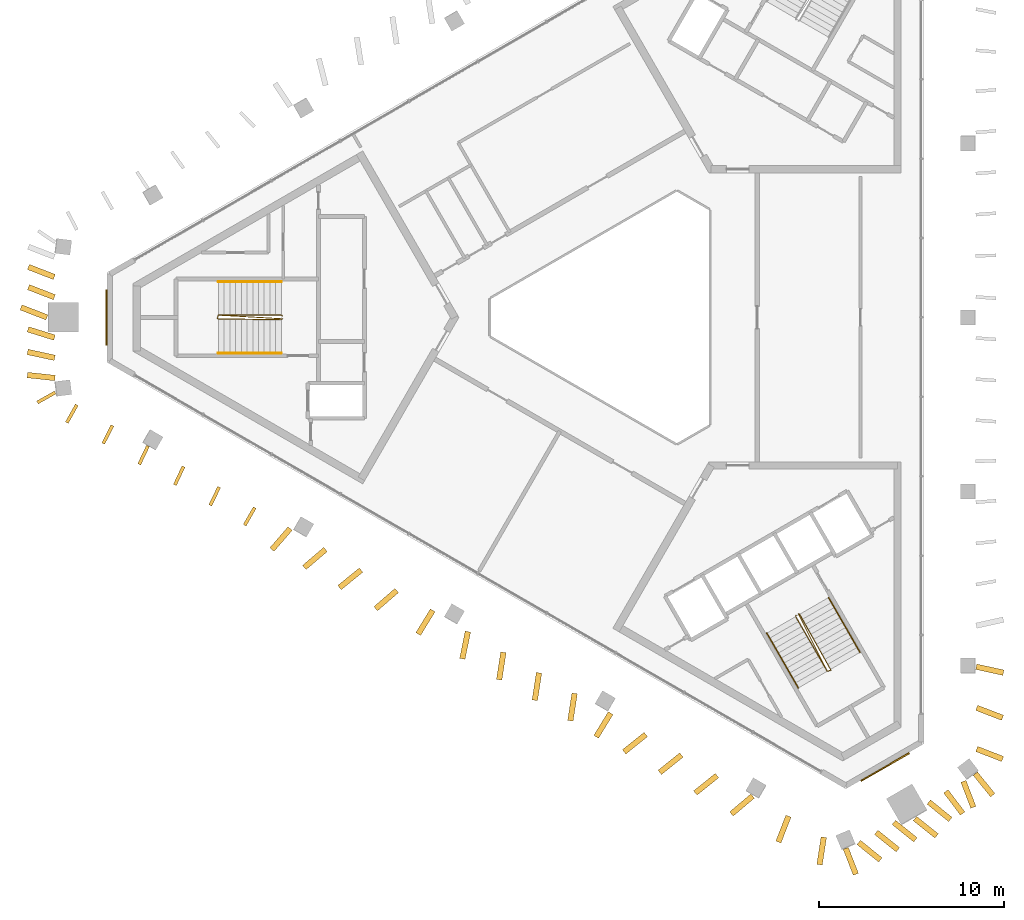
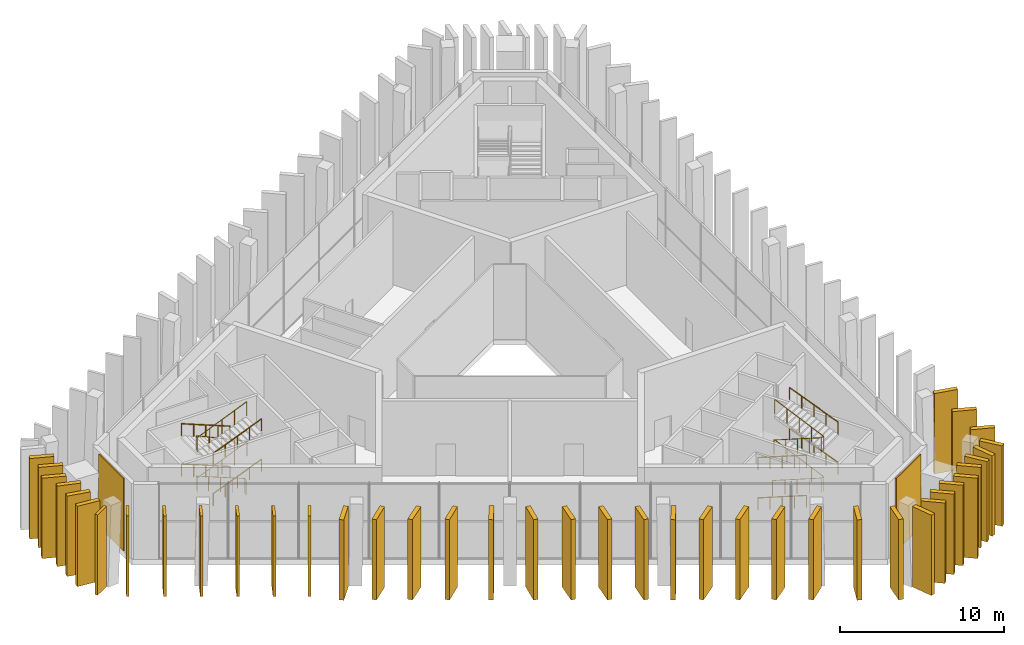
# One storey, part 11 of 12: 41 shading devices, 10 railings, 2 coverings.
"""IFC4 building model written with IfcOpenShell, lengths in metres."""

from ifc_helpers import new_model, si_unit, direction, frame, frame_2d, origin, origin_2d, place, context, subcontext, project, spatial, rectangle, circle, extrude, material, layer, layer_set, type_object, element, save


model = new_model("IFC4")

# Units and contexts
model_context = context("Model", 3, precision=1e-05, world=origin(), true_north=direction((0.0, 1.0)))
body_context = subcontext(model_context, "Body", "Model", "MODEL_VIEW")
ifc_project = project(units=[si_unit("LENGTHUNIT", "METRE"), si_unit("AREAUNIT", "SQUARE_METRE"), si_unit("VOLUMEUNIT", "CUBIC_METRE"), si_unit("PLANEANGLEUNIT", "RADIAN"), si_unit("MASSUNIT", "GRAM", prefix="KILO")], contexts=[model_context])

# Site, building, storey
site_placement = place(None, origin())
site = spatial("IfcSite", under=ifc_project, at=site_placement, CompositionType="ELEMENT")
building_placement = place(site_placement, origin())
building = spatial("IfcBuilding", under=site, at=building_placement, Name="Jabali Bay Hotel Tower and Convention Centre", CompositionType="ELEMENT")
storey_placement = place(building_placement, frame((0.0, 0.0, 304.800048828125)))
storey = spatial("IfcBuildingStorey", under=building, at=storey_placement, Name="L75", CompositionType="ELEMENT", Elevation=304.800048828125)

# Shading devices
ifc_material_1 = material(Name="Precast concrete C60", Category="concrete")
ifc_layer_1 = layer(ifc_material_1, 0.179931640625)
ifc_layer_set_1 = layer_set([ifc_layer_1], Name="Precast concrete C60")
shading_device_type_1 = type_object("IfcShadingDeviceType", Name="Precast fin 5980 x 1100", PredefinedType="USERDEFINED", material=ifc_layer_set_1)
shading_device_1_placement = place(storey_placement, frame((45.36962890625, 75.279541015625, 0.010009765625), z_axis=(0.0, 0.0, 1.0), x_axis=(-0.488447935447, -0.872593040516, 0.0)))
element("IfcShadingDevice", 1, at=shading_device_1_placement, inside=storey, type_object=shading_device_type_1, Name="Fin L75 058", ObjectType="FIN", PredefinedType="USERDEFINED", context=body_context, shape_type="SweptSolid", body=[
    extrude(rectangle(XDim=1.10009765625, YDim=0.179931640625, at=frame_2d((0.550048828125, 0.0))), origin(), (0.0, 0.0, 1.0), 5.97998046875),
])
for number, where, z_axis, x_axis, name in (
    (2, (47.28955078125, 74.16650390625, 0.010009765625), (0.0, 0.0, 1.0), (-0.451027272115, -0.892510167902, 0.0), "Fin L75 059"),
    (3, (49.21044921875, 73.055419921875, 0.010009765625), (0.0, 0.0, 1.0), (-0.431965973812, -0.901889903186, 0.0), "Fin L75 060"),
    (4, (51.1318359375, 71.945556640625, 0.010009765625), (0.0, 0.0, 1.0), (-0.427036552319, -0.904234362863, 0.0), "Fin L75 061"),
    (5, (53.054443359375, 70.8369140625, 0.010009765625), (0.0, 0.0, 1.0), (-0.439918594365, -0.898037655297, 0.0), "Fin L75 062"),
):
    element("IfcShadingDevice", number, at=place(storey_placement, frame(where, z_axis=z_axis, x_axis=x_axis)), inside=storey, type_object=shading_device_type_1, Name=name, ObjectType="FIN", PredefinedType="USERDEFINED", context=body_context, shape_type="SweptSolid", body=[
        extrude(rectangle(XDim=1.099853515625, YDim=0.179931640625, at=frame_2d((0.5498046875, 0.0))), origin(), (0.0, 0.0, 1.0), 5.97998046875),
    ])
shading_device_2_placement = place(storey_placement, frame((54.97900390625, 69.732666015625, 0.010009765625), z_axis=(0.0, 0.0, 1.0), x_axis=(-0.497357387305, -0.867545750547, 0.0)))
element("IfcShadingDevice", 6, at=shading_device_2_placement, inside=storey, type_object=shading_device_type_1, Name="Fin L75 063", ObjectType="FIN", PredefinedType="USERDEFINED", context=body_context, shape_type="SweptSolid", body=[
    extrude(rectangle(XDim=1.10009765625, YDim=0.179931640625, at=frame_2d((0.550048828125, 0.0))), origin(), (0.0, 0.0, 1.0), 5.97998046875),
])
shading_device_3_placement = place(storey_placement, frame((44.201904296875, 75.9462890625, 0.010009765625), z_axis=(0.0, 0.0, 1.0), x_axis=(-0.871178101027, -0.490967123432, 0.0)))
element("IfcShadingDevice", 7, at=shading_device_3_placement, inside=storey, type_object=shading_device_type_1, Name="Fin L75 091", ObjectType="FIN", PredefinedType="USERDEFINED", context=body_context, shape_type="SweptSolid", body=[
    extrude(rectangle(XDim=1.099853515625, YDim=0.179931640625, at=frame_2d((0.5498046875, 0.0))), origin(), (0.0, 0.0, 1.0), 5.97998046875),
])
ifc_layer_2 = layer(ifc_material_1, 0.300048828125)
ifc_layer_set_2 = layer_set([ifc_layer_2], Name="Precast concrete C60")
shading_device_type_2 = type_object("IfcShadingDeviceType", Name="Precast fin 5980 x 1500", PredefinedType="USERDEFINED", material=ifc_layer_set_2)
for number, where, z_axis, x_axis, name in (
    (8, (93.956298828125, 56.69970703125, 0.010009765625), (0.0, 0.0, 1.0), (0.932550419997, -0.361039768119, 0.0), "Fin L75 000"),
    (9, (93.955810546875, 58.918701171875, 0.010009765625), (0.0, 0.0, 1.0), (0.933864848651, -0.357626123843, 0.0), "Fin L75 001"),
):
    element("IfcShadingDevice", number, at=place(storey_placement, frame(where, z_axis=z_axis, x_axis=x_axis)), inside=storey, type_object=shading_device_type_2, Name=name, ObjectType="FIN", PredefinedType="USERDEFINED", context=body_context, shape_type="SweptSolid", body=[
        extrude(rectangle(XDim=1.499755859375, YDim=0.300048828125, at=frame_2d((0.75, 0.0))), origin(), (0.0, 0.0, 1.0), 5.97998046875),
    ])
for number, where, z_axis, x_axis, name in (
    (10, (93.933837890625, 61.137939453125, 0.010009765625), (0.0, 0.0, 1.0), (0.977074892163, -0.212895878552, 0.0), "Fin L75 002"),
    (11, (44.1552734375, 82.181884765625, 0.010009765625), (0.0, 0.0, 1.0), (-0.932254906917, 0.361802140027, 0.0), "Fin L75 052"),
    (12, (44.1552734375, 81.091064453125, 0.010009765625), (0.0, 0.0, 1.0), (-0.932254906917, 0.361802140027, 0.0), "Fin L75 053"),
):
    element("IfcShadingDevice", number, at=place(storey_placement, frame(where, z_axis=z_axis, x_axis=x_axis)), inside=storey, type_object=shading_device_type_2, Name=name, ObjectType="FIN", PredefinedType="USERDEFINED", context=body_context, shape_type="SweptSolid", body=[
        extrude(rectangle(XDim=1.5, YDim=0.300048828125, at=frame_2d((0.75, 0.0))), origin(), (0.0, 0.0, 1.0), 5.97998046875),
    ])
shading_device_4_placement = place(storey_placement, frame((43.755859375, 80.0, 0.010009765625), z_axis=(0.0, 0.0, 1.0), x_axis=(-0.932702355122, 0.360647080606, 0.0)))
element("IfcShadingDevice", 13, at=shading_device_4_placement, inside=storey, type_object=shading_device_type_2, Name="Fin L75 054", ObjectType="FIN", PredefinedType="USERDEFINED", context=body_context, shape_type="SweptSolid", body=[
    extrude(rectangle(XDim=1.500244140625, YDim=0.300048828125, at=frame_2d((0.75, 0.0))), origin(), (0.0, 0.0, 1.0), 5.97998046875),
])
for number, where, z_axis, x_axis, name in (
    (14, (44.164794921875, 78.908935546875, 0.010009765625), (0.0, 0.0, 1.0), (-0.954563924611, 0.298006231196, 0.0), "Fin L75 055"),
    (15, (44.177734375, 77.818115234375, 0.010009765625), (0.0, 0.0, 1.0), (-0.977393261542, 0.211429449916, 0.0), "Fin L75 056"),
    (16, (44.193359375, 76.72705078125, 0.010009765625), (0.0, 0.0, 1.0), (-0.994231932579, 0.107251406706, 0.0), "Fin L75 057"),
    (17, (56.886962890625, 68.598876953125, 0.010009765625), (0.0, 0.0, 1.0), (-0.653628345177, -0.756815688514, 0.0), "Fin L75 064"),
    (18, (58.797607421875, 67.47021484375, 0.010009765625), (0.0, 0.0, 1.0), (-0.76125215791, -0.648455975435, 0.0), "Fin L75 065"),
    (19, (60.7177734375, 66.35791015625, 0.010009765625), (0.0, 0.0, 1.0), (-0.775745440748, -0.631045965963, 0.0), "Fin L75 066"),
    (20, (62.641845703125, 65.252197265625, 0.010009765625), (0.0, 0.0, 1.0), (-0.755984355904, -0.654589683411, 0.0), "Fin L75 067"),
    (21, (64.586181640625, 64.181640625, 0.010009765625), (0.0, 0.0, 1.0), (-0.522943663616, -0.852367247543, 0.0), "Fin L75 068"),
    (22, (66.486083984375, 63.034423828125, 0.010009765625), (0.0, 0.0, 1.0), (-0.200026975063, -0.979790390465, 0.0), "Fin L75 069"),
    (23, (68.404541015625, 61.9189453125, 0.010009765625), (0.0, 0.0, 1.0), (-0.152827640661, -0.988252858458, 0.0), "Fin L75 070"),
    (24, (70.326171875, 60.8095703125, 0.010009765625), (0.0, 0.0, 1.0), (-0.152668680361, -0.988277427667, 0.0), "Fin L75 071"),
    (25, (72.248046875, 59.699951171875, 0.010009765625), (0.0, 0.0, 1.0), (-0.152827640661, -0.988252858458, 0.0), "Fin L75 072"),
):
    element("IfcShadingDevice", number, at=place(storey_placement, frame(where, z_axis=z_axis, x_axis=x_axis)), inside=storey, type_object=shading_device_type_2, Name=name, ObjectType="FIN", PredefinedType="USERDEFINED", context=body_context, shape_type="SweptSolid", body=[
        extrude(rectangle(XDim=1.5, YDim=0.300048828125, at=frame_2d((0.75, 0.0))), origin(), (0.0, 0.0, 1.0), 5.97998046875),
    ])
shading_device_5_placement = place(storey_placement, frame((74.195068359375, 58.634033203125, 0.010009765625), z_axis=(0.0, 0.0, 1.0), x_axis=(-0.523061897577, -0.852294697451, 0.0)))
element("IfcShadingDevice", 26, at=shading_device_5_placement, inside=storey, type_object=shading_device_type_2, Name="Fin L75 073", ObjectType="FIN", PredefinedType="USERDEFINED", context=body_context, shape_type="SweptSolid", body=[
    extrude(rectangle(XDim=1.500244140625, YDim=0.300048828125, at=frame_2d((0.75, 0.0))), origin(), (0.0, 0.0, 1.0), 5.97998046875),
])
for number, where, z_axis, x_axis, name in (
    (27, (76.091552734375, 57.48095703125, 0.010009765625), (0.0, 0.0, 1.0), (-0.779453585439, -0.626459981281, 0.0), "Fin L75 074"),
    (28, (78.013427734375, 56.371337890625, 0.010009765625), (0.0, 0.0, 1.0), (-0.779453585439, -0.626459981281, 0.0), "Fin L75 075"),
):
    element("IfcShadingDevice", number, at=place(storey_placement, frame(where, z_axis=z_axis, x_axis=x_axis)), inside=storey, type_object=shading_device_type_2, Name=name, ObjectType="FIN", PredefinedType="USERDEFINED", context=body_context, shape_type="SweptSolid", body=[
        extrude(rectangle(XDim=1.5, YDim=0.300048828125, at=frame_2d((0.75, 0.0))), origin(), (0.0, 0.0, 1.0), 5.97998046875),
    ])
shading_device_6_placement = place(storey_placement, frame((79.93505859375, 55.26171875, 0.010009765625), z_axis=(0.0, 0.0, 1.0), x_axis=(-0.77953306199, -0.626361082176, 0.0)))
element("IfcShadingDevice", 29, at=shading_device_6_placement, inside=storey, type_object=shading_device_type_2, Name="Fin L75 076", ObjectType="FIN", PredefinedType="USERDEFINED", context=body_context, shape_type="SweptSolid", body=[
    extrude(rectangle(XDim=1.499755859375, YDim=0.300048828125, at=frame_2d((0.75, 0.0))), origin(), (0.0, 0.0, 1.0), 5.97998046875),
])
for number, where, z_axis, x_axis, name in (
    (30, (81.858642578125, 54.1552734375, 0.010009765625), (0.0, 0.0, 1.0), (-0.764015652083, -0.645197708747, 0.0), "Fin L75 077"),
    (31, (83.79443359375, 53.070068359375, 0.010009765625), (0.0, 0.0, 1.0), (-0.362281323924, -0.932068796997, 0.0), "Fin L75 078"),
    (32, (85.700439453125, 51.93310546875, 0.010009765625), (0.0, 0.0, 1.0), (-0.152668680361, -0.988277427667, 0.0), "Fin L75 079"),
    (33, (87.588134765625, 51.651123046875, 0.010009765625), (0.0, 0.0, 1.0), (0.779453585439, -0.626459981281, 0.0), "Fin L75 080"),
    (34, (88.53271484375, 52.196533203125, 0.010009765625), (0.0, 0.0, 1.0), (0.779596911354, -0.626281610625, 0.0), "Fin L75 081"),
    (35, (89.482666015625, 52.7333984375, 0.010009765625), (0.0, 0.0, 1.0), (0.779453585439, -0.626459981281, 0.0), "Fin L75 082"),
):
    element("IfcShadingDevice", number, at=place(storey_placement, frame(where, z_axis=z_axis, x_axis=x_axis)), inside=storey, type_object=shading_device_type_2, Name=name, ObjectType="FIN", PredefinedType="USERDEFINED", context=body_context, shape_type="SweptSolid", body=[
        extrude(rectangle(XDim=1.5, YDim=0.300048828125, at=frame_2d((0.75, 0.0))), origin(), (0.0, 0.0, 1.0), 5.97998046875),
    ])
shading_device_7_placement = place(storey_placement, frame((90.6220703125, 52.941650390625, 0.010009765625), z_axis=(0.0, 0.0, 1.0), x_axis=(0.779517448458, -0.626380513385, 0.0)))
element("IfcShadingDevice", 36, at=shading_device_7_placement, inside=storey, type_object=shading_device_type_2, Name="Fin L75 083", ObjectType="FIN", PredefinedType="USERDEFINED", context=body_context, shape_type="SweptSolid", body=[
    extrude(rectangle(XDim=1.500244140625, YDim=0.300048828125, at=frame_2d((0.75, 0.0))), origin(), (0.0, 0.0, 1.0), 5.97998046875),
])
for number, where, z_axis, x_axis, name in (
    (37, (91.3671875, 53.8330078125, 0.010009765625), (0.0, 0.0, 1.0), (0.77953306199, -0.626361082176, 0.0), "Fin L75 084"),
    (38, (92.294189453125, 54.409423828125, 0.010009765625), (0.0, 0.0, 1.0), (0.603588126313, -0.797296289828, 0.0), "Fin L75 085"),
    (39, (93.241455078125, 54.950439453125, 0.010009765625), (0.0, 0.0, 1.0), (0.357145820397, -0.934048640582, 0.0), "Fin L75 086"),
    (40, (93.8818359375, 55.370849609375, 0.010009765625), (0.0, 0.0, 1.0), (0.626717819542, -0.779246286272, 0.0), "Fin L75 087"),
):
    element("IfcShadingDevice", number, at=place(storey_placement, frame(where, z_axis=z_axis, x_axis=x_axis)), inside=storey, type_object=shading_device_type_2, Name=name, ObjectType="FIN", PredefinedType="USERDEFINED", context=body_context, shape_type="SweptSolid", body=[
        extrude(rectangle(XDim=1.499755859375, YDim=0.300048828125, at=frame_2d((0.75, 0.0))), origin(), (0.0, 0.0, 1.0), 5.97998046875),
    ])
shading_device_8_placement = place(storey_placement, frame((86.888427734375, 51.33349609375, 0.010009765625), z_axis=(0.0, 0.0, 1.0), x_axis=(0.361802140027, -0.932254906917, 0.0)))
element("IfcShadingDevice", 41, at=shading_device_8_placement, inside=storey, type_object=shading_device_type_2, Name="Fin L75 092", ObjectType="FIN", PredefinedType="USERDEFINED", context=body_context, shape_type="SweptSolid", body=[
    extrude(rectangle(XDim=1.5, YDim=0.300048828125, at=frame_2d((0.75, 0.0))), origin(), (0.0, 0.0, 1.0), 5.97998046875),
])

# Coverings
ifc_material_2 = material(Name="Precast concrete C40/50", Category="concrete")
ifc_layer_3 = layer(ifc_material_2, 0.080078125)
ifc_layer_set_3 = layer_set([ifc_layer_3], Name="Precast concrete C40/50")
covering_type = type_object("IfcCoveringType", Name="Relief panel 3000 x 5400", PredefinedType="CLADDING", material=ifc_layer_set_3)
for number, where, z_axis, x_axis, name in (
    (42, (46.969482421875, 80.0, 0.10009765625), (0.0, 0.0, 1.0), (0.0, 1.0, 0.0), "Relief panel L75"),
    (43, (89.015380859375, 55.724853515625, 0.10009765625), (0.0, 0.0, 1.0), (-0.866025315794, -0.500000152404, 0.0), "Relief panel L75"),
):
    element("IfcCovering", number, at=place(storey_placement, frame(where, z_axis=z_axis, x_axis=x_axis)), inside=storey, type_object=covering_type, Name=name, PredefinedType="CLADDING", context=body_context, shape_type="SweptSolid", body=[
        extrude(rectangle(XDim=3.0, YDim=0.080078125, at=origin_2d()), origin(), (0.0, 0.0, 1.0), 5.39990234375),
    ])

# Railings
ifc_material_3 = material(Name="Steel Q355B", Category="steel")
railing_type_1 = type_object("IfcRailingType", Name="Stair guard 1100", PredefinedType="GUARDRAIL", material=ifc_material_3)
railing_1_placement = place(storey_placement, frame((56.469970703125, 80.074951171875, 0.0)))
element("IfcRailing", 44, at=railing_1_placement, inside=storey, type_object=railing_type_1, Name="L75 ST1 stair guard 1", PredefinedType="GUARDRAIL", context=body_context, shape_type="SweptSolid", body=[
    extrude(circle(Radius=0.02392578125, at=origin_2d()), frame((0.0, 0.0, 1.076171875), z_axis=(-0.34841279274, 0.34841279274, 0.870182194549), x_axis=(-0.707106781187, -0.707106781187, 0.0)), (0.0, 0.0, 1.0), 0.1435546875),
    extrude(circle(Radius=0.02392578125, at=origin_2d()), frame((-0.050048828125, 0.050048828125, 1.201171875), z_axis=(-0.92743812886, 0.0, 0.373976626458), x_axis=(0.0, -1.0, 0.0)), (0.0, 0.0, 1.0), 3.6767578125),
    extrude(circle(Radius=0.02392578125, at=origin_2d()), frame((-3.4599609375, 0.050048828125, 2.576171875), z_axis=(-0.242814311512, -0.970072785993, 0.0), x_axis=(0.970072785993, -0.242814311512, 0.0)), (0.0, 0.0, 1.0), 0.2060546875),
    extrude(circle(Radius=0.02392578125, at=origin_2d()), frame((-3.510009765625, -0.14990234375, 2.576171875), z_axis=(0.91740868943, -0.013270447455, 0.397725020312), x_axis=(0.014463629426, 0.999895396241, 0.0)), (0.0, 0.0, 1.0), 3.771484375),
    extrude(circle(Radius=0.02392578125, at=origin_2d()), frame((-0.050048828125, -0.199951171875, 4.076171875), z_axis=(0.707106781187, 0.707106781187, 0.0), x_axis=(-0.707106781187, 0.707106781187, 0.0)), (0.0, 0.0, 1.0), 0.07080078125),
    extrude(circle(Radius=0.02392578125, at=origin_2d()), frame((0.0, -0.14990234375, 4.076171875), z_axis=(-0.91620252241, 0.052947351528, 0.397202109631), x_axis=(-0.057693749292, -0.998334328415, 0.0)), (0.0, 0.0, 1.0), 3.7763671875),
    extrude(circle(Radius=0.02392578125, at=origin_2d()), frame((-3.4599609375, 0.050048828125, 5.576171875), z_axis=(-0.242814311512, -0.970072785993, 0.0), x_axis=(0.970072785993, -0.242814311512, 0.0)), (0.0, 0.0, 1.0), 0.2060546875),
    extrude(circle(Radius=0.02392578125, at=origin_2d()), frame((-3.510009765625, -0.14990234375, 5.576171875), z_axis=(0.91740868943, -0.013270447455, 0.397725020312), x_axis=(0.014463629426, 0.999895396241, 0.0)), (0.0, 0.0, 1.0), 3.771484375),
    extrude(circle(Radius=0.02099609375, at=origin_2d()), origin(), (0.0, 0.0, 1.0), 1.052001953125),
    extrude(circle(Radius=0.02099609375, at=origin_2d()), frame((-0.050048828125, 0.050048828125, 0.125)), (0.0, 0.0, 1.0), 1.052001953125),
    extrude(circle(Radius=0.02099609375, at=origin_2d()), frame((-0.902587890625, 0.050048828125, 0.46875)), (0.0, 0.0, 1.0), 1.052001953125),
    extrude(circle(Radius=0.02099609375, at=origin_2d()), frame((-1.7548828125, 0.050048828125, 0.8125)), (0.0, 0.0, 1.0), 1.052001953125),
    extrude(circle(Radius=0.02099609375, at=origin_2d()), frame((-2.607421875, 0.050048828125, 1.15625)), (0.0, 0.0, 1.0), 1.052001953125),
    extrude(circle(Radius=0.02099609375, at=origin_2d()), frame((-3.4599609375, 0.050048828125, 1.5)), (0.0, 0.0, 1.0), 1.052001953125),
    extrude(circle(Radius=0.02099609375, at=origin_2d()), frame((-3.510009765625, -0.14990234375, 1.5)), (0.0, 0.0, 1.0), 1.052001953125),
    extrude(circle(Radius=0.02099609375, at=origin_2d()), frame((-2.64501953125, -0.162353515625, 1.875)), (0.0, 0.0, 1.0), 1.052001953125),
    extrude(circle(Radius=0.02099609375, at=origin_2d()), frame((-1.780029296875, -0.1748046875, 2.25)), (0.0, 0.0, 1.0), 1.052001953125),
    extrude(circle(Radius=0.02099609375, at=origin_2d()), frame((-0.9150390625, -0.1875, 2.625)), (0.0, 0.0, 1.0), 1.052001953125),
    extrude(circle(Radius=0.02099609375, at=origin_2d()), frame((-0.050048828125, -0.199951171875, 3.0)), (0.0, 0.0, 1.0), 1.052001953125),
    extrude(circle(Radius=0.02099609375, at=origin_2d()), frame((0.0, -0.14990234375, 3.0)), (0.0, 0.0, 1.0), 1.052001953125),
    extrude(circle(Radius=0.02099609375, at=origin_2d()), frame((-0.864990234375, -0.099853515625, 3.375)), (0.0, 0.0, 1.0), 1.052001953125),
    extrude(circle(Radius=0.02099609375, at=origin_2d()), frame((-1.72998046875, -0.0498046875, 3.75)), (0.0, 0.0, 1.0), 1.052001953125),
    extrude(circle(Radius=0.02099609375, at=origin_2d()), frame((-2.594970703125, 0.0, 4.125)), (0.0, 0.0, 1.0), 1.052001953125),
    extrude(circle(Radius=0.02099609375, at=origin_2d()), frame((-3.4599609375, 0.050048828125, 4.5)), (0.0, 0.0, 1.0), 1.052001953125),
    extrude(circle(Radius=0.02099609375, at=origin_2d()), frame((-3.510009765625, -0.14990234375, 4.5)), (0.0, 0.0, 1.0), 1.052001953125),
    extrude(circle(Radius=0.02099609375, at=origin_2d()), frame((-2.64501953125, -0.162353515625, 4.875)), (0.0, 0.0, 1.0), 1.052001953125),
    extrude(circle(Radius=0.02099609375, at=origin_2d()), frame((-1.780029296875, -0.1748046875, 5.25)), (0.0, 0.0, 1.0), 1.052001953125),
    extrude(circle(Radius=0.02099609375, at=origin_2d()), frame((-0.9150390625, -0.1875, 5.625)), (0.0, 0.0, 1.0), 1.052001953125),
    extrude(circle(Radius=0.02099609375, at=origin_2d()), frame((-0.050048828125, -0.199951171875, 6.0)), (0.0, 0.0, 1.0), 1.052001953125),
])
railing_2_placement = place(storey_placement, frame((84.199951171875, 63.9150390625, 0.0)))
element("IfcRailing", 45, at=railing_2_placement, inside=storey, type_object=railing_type_1, Name="L75 ST3 stair guard 1", PredefinedType="GUARDRAIL", context=body_context, shape_type="SweptSolid", body=[
    extrude(circle(Radius=0.02392578125, at=origin_2d()), frame((0.0, 0.0, 1.076171875), z_axis=(-0.127472697635, -0.475898071169, 0.870213615852), x_axis=(0.965948051503, -0.258736085224, 0.0)), (0.0, 0.0, 1.0), 0.1435546875),
    extrude(circle(Radius=0.02392578125, at=origin_2d()), frame((-0.018310546875, -0.068359375, 1.201171875), z_axis=(0.463739605653, -0.803177873708, 0.373966417388), x_axis=(0.866013897511, 0.50001992892, 0.0)), (0.0, 0.0, 1.0), 3.6767578125),
    extrude(circle(Radius=0.02392578125, at=origin_2d()), frame((1.686767578125, -3.021484375, 2.576171875), z_axis=(0.961523947641, 0.274721127897, 0.0), x_axis=(-0.274721127897, 0.961523947641, 0.0)), (0.0, 0.0, 1.0), 0.2060546875),
    extrude(circle(Radius=0.02392578125, at=origin_2d()), frame((1.885009765625, -2.96484375, 2.576171875), z_axis=(-0.447235156574, 0.801126400023, 0.397714980748), x_axis=(-0.873153708814, -0.487444972058, 0.0)), (0.0, 0.0, 1.0), 3.771484375),
    extrude(circle(Radius=0.02392578125, at=origin_2d()), frame((0.1982421875, 0.056640625, 4.076171875), z_axis=(-0.965948051503, 0.258736085224, 0.0), x_axis=(-0.258736085224, -0.965948051503, 0.0)), (0.0, 0.0, 1.0), 0.07080078125),
    extrude(circle(Radius=0.02392578125, at=origin_2d()), frame((0.1298828125, 0.074951171875, 4.076171875), z_axis=(0.412258148368, -0.819926312647, 0.397195242837), x_axis=(0.893424667417, 0.449213049288, 0.0)), (0.0, 0.0, 1.0), 3.7763671875),
    extrude(circle(Radius=0.02392578125, at=origin_2d()), frame((1.686767578125, -3.021484375, 5.576171875), z_axis=(0.961523947641, 0.274721127897, 0.0), x_axis=(-0.274721127897, 0.961523947641, 0.0)), (0.0, 0.0, 1.0), 0.2060546875),
    extrude(circle(Radius=0.02392578125, at=origin_2d()), frame((1.885009765625, -2.96484375, 5.576171875), z_axis=(-0.447235156574, 0.801126400023, 0.397714980748), x_axis=(-0.873153708814, -0.487444972058, 0.0)), (0.0, 0.0, 1.0), 3.771484375),
    extrude(circle(Radius=0.02099609375, at=origin_2d()), origin(), (0.0, 0.0, 1.0), 1.052001953125),
    extrude(circle(Radius=0.02099609375, at=origin_2d()), frame((-0.018310546875, -0.068359375, 0.125)), (0.0, 0.0, 1.0), 1.052001953125),
    extrude(circle(Radius=0.02099609375, at=origin_2d()), frame((0.407958984375, -0.806640625, 0.46875)), (0.0, 0.0, 1.0), 1.052001953125),
    extrude(circle(Radius=0.02099609375, at=origin_2d()), frame((0.834228515625, -1.544921875, 0.8125)), (0.0, 0.0, 1.0), 1.052001953125),
    extrude(circle(Radius=0.02099609375, at=origin_2d()), frame((1.260498046875, -2.283203125, 1.15625)), (0.0, 0.0, 1.0), 1.052001953125),
    extrude(circle(Radius=0.02099609375, at=origin_2d()), frame((1.686767578125, -3.021484375, 1.5)), (0.0, 0.0, 1.0), 1.052001953125),
    extrude(circle(Radius=0.02099609375, at=origin_2d()), frame((1.885009765625, -2.96484375, 1.5)), (0.0, 0.0, 1.0), 1.052001953125),
    extrude(circle(Radius=0.02099609375, at=origin_2d()), frame((1.46337890625, -2.20947265625, 1.875)), (0.0, 0.0, 1.0), 1.052001953125),
    extrude(circle(Radius=0.02099609375, at=origin_2d()), frame((1.04150390625, -1.4541015625, 2.25)), (0.0, 0.0, 1.0), 1.052001953125),
    extrude(circle(Radius=0.02099609375, at=origin_2d()), frame((0.619873046875, -0.69873046875, 2.625)), (0.0, 0.0, 1.0), 1.052001953125),
    extrude(circle(Radius=0.02099609375, at=origin_2d()), frame((0.1982421875, 0.056640625, 3.0)), (0.0, 0.0, 1.0), 1.052001953125),
    extrude(circle(Radius=0.02099609375, at=origin_2d()), frame((0.1298828125, 0.074951171875, 3.0)), (0.0, 0.0, 1.0), 1.052001953125),
    extrude(circle(Radius=0.02099609375, at=origin_2d()), frame((0.51904296875, -0.69921875, 3.375)), (0.0, 0.0, 1.0), 1.052001953125),
    extrude(circle(Radius=0.02099609375, at=origin_2d()), frame((0.908203125, -1.47314453125, 3.75)), (0.0, 0.0, 1.0), 1.052001953125),
    extrude(circle(Radius=0.02099609375, at=origin_2d()), frame((1.297607421875, -2.247314453125, 4.125)), (0.0, 0.0, 1.0), 1.052001953125),
    extrude(circle(Radius=0.02099609375, at=origin_2d()), frame((1.686767578125, -3.021484375, 4.5)), (0.0, 0.0, 1.0), 1.052001953125),
    extrude(circle(Radius=0.02099609375, at=origin_2d()), frame((1.885009765625, -2.96484375, 4.5)), (0.0, 0.0, 1.0), 1.052001953125),
    extrude(circle(Radius=0.02099609375, at=origin_2d()), frame((1.46337890625, -2.20947265625, 4.875)), (0.0, 0.0, 1.0), 1.052001953125),
    extrude(circle(Radius=0.02099609375, at=origin_2d()), frame((1.04150390625, -1.4541015625, 5.25)), (0.0, 0.0, 1.0), 1.052001953125),
    extrude(circle(Radius=0.02099609375, at=origin_2d()), frame((0.619873046875, -0.69873046875, 5.625)), (0.0, 0.0, 1.0), 1.052001953125),
    extrude(circle(Radius=0.02099609375, at=origin_2d()), frame((0.1982421875, 0.056640625, 6.0)), (0.0, 0.0, 1.0), 1.052001953125),
])
railing_type_2 = type_object("IfcRailingType", Name="Stair handrail 900", PredefinedType="HANDRAIL", material=ifc_material_3)
railing_3_placement = place(storey_placement, frame((56.419921875, 81.925048828125, 0.125)))
element("IfcRailing", 46, at=railing_3_placement, inside=storey, type_object=railing_type_2, Name="L75 ST1 stair handrail 1", PredefinedType="HANDRAIL", context=body_context, shape_type="SweptSolid", body=[
    extrude(circle(Radius=0.02392578125, at=origin_2d()), frame((0.0, 0.0, 0.8759765625), z_axis=(-0.92743812886, 0.0, 0.373976626458), x_axis=(0.0, -1.0, 0.0)), (0.0, 0.0, 1.0), 3.6767578125),
    extrude(circle(Radius=0.02099609375, at=origin_2d()), origin(), (0.0, 0.0, 1.0), 0.851806640625),
    extrude(circle(Radius=0.02099609375, at=origin_2d()), frame((-0.8525390625, 0.0, 0.34375)), (0.0, 0.0, 1.0), 0.851806640625),
    extrude(circle(Radius=0.02099609375, at=origin_2d()), frame((-1.705078125, 0.0, 0.6875)), (0.0, 0.0, 1.0), 0.851806640625),
    extrude(circle(Radius=0.02099609375, at=origin_2d()), frame((-2.557373046875, 0.0, 1.03125)), (0.0, 0.0, 1.0), 0.851806640625),
    extrude(circle(Radius=0.02099609375, at=origin_2d()), frame((-3.409912109375, 0.0, 1.375)), (0.0, 0.0, 1.0), 0.851806640625),
])
railing_4_placement = place(storey_placement, frame((53.010009765625, 78.074951171875, 1.625)))
element("IfcRailing", 47, at=railing_4_placement, inside=storey, type_object=railing_type_2, Name="L75 ST1 stair handrail 2", PredefinedType="HANDRAIL", context=body_context, shape_type="SweptSolid", body=[
    extrude(circle(Radius=0.02392578125, at=origin_2d()), frame((0.0, 0.0, 0.8759765625), z_axis=(0.92743812886, 0.0, 0.373976626458), x_axis=(0.0, 1.0, 0.0)), (0.0, 0.0, 1.0), 3.6767578125),
    extrude(circle(Radius=0.02099609375, at=origin_2d()), origin(), (0.0, 0.0, 1.0), 0.851806640625),
    extrude(circle(Radius=0.02099609375, at=origin_2d()), frame((0.8525390625, 0.0, 0.34375)), (0.0, 0.0, 1.0), 0.851806640625),
    extrude(circle(Radius=0.02099609375, at=origin_2d()), frame((1.705078125, 0.0, 0.6875)), (0.0, 0.0, 1.0), 0.851806640625),
    extrude(circle(Radius=0.02099609375, at=origin_2d()), frame((2.557373046875, 0.0, 1.03125)), (0.0, 0.0, 1.0), 0.851806640625),
    extrude(circle(Radius=0.02099609375, at=origin_2d()), frame((3.409912109375, 0.0, 1.375)), (0.0, 0.0, 1.0), 0.851806640625),
])
railing_5_placement = place(storey_placement, frame((56.419921875, 81.925048828125, 3.125)))
element("IfcRailing", 48, at=railing_5_placement, inside=storey, type_object=railing_type_2, Name="L75 ST1 stair handrail 3", PredefinedType="HANDRAIL", context=body_context, shape_type="SweptSolid", body=[
    extrude(circle(Radius=0.02392578125, at=origin_2d()), frame((0.0, 0.0, 0.8759765625), z_axis=(-0.92743812886, 0.0, 0.373976626458), x_axis=(0.0, -1.0, 0.0)), (0.0, 0.0, 1.0), 3.6767578125),
    extrude(circle(Radius=0.02099609375, at=origin_2d()), origin(), (0.0, 0.0, 1.0), 0.851806640625),
    extrude(circle(Radius=0.02099609375, at=origin_2d()), frame((-0.8525390625, 0.0, 0.34375)), (0.0, 0.0, 1.0), 0.851806640625),
    extrude(circle(Radius=0.02099609375, at=origin_2d()), frame((-1.705078125, 0.0, 0.6875)), (0.0, 0.0, 1.0), 0.851806640625),
    extrude(circle(Radius=0.02099609375, at=origin_2d()), frame((-2.557373046875, 0.0, 1.03125)), (0.0, 0.0, 1.0), 0.851806640625),
    extrude(circle(Radius=0.02099609375, at=origin_2d()), frame((-3.409912109375, 0.0, 1.375)), (0.0, 0.0, 1.0), 0.851806640625),
])
railing_6_placement = place(storey_placement, frame((53.010009765625, 78.074951171875, 4.625)))
element("IfcRailing", 49, at=railing_6_placement, inside=storey, type_object=railing_type_2, Name="L75 ST1 stair handrail 4", PredefinedType="HANDRAIL", context=body_context, shape_type="SweptSolid", body=[
    extrude(circle(Radius=0.02392578125, at=origin_2d()), frame((0.0, 0.0, 0.8759765625), z_axis=(0.92743812886, 0.0, 0.373976626458), x_axis=(0.0, 1.0, 0.0)), (0.0, 0.0, 1.0), 3.6767578125),
    extrude(circle(Radius=0.02099609375, at=origin_2d()), origin(), (0.0, 0.0, 1.0), 0.851806640625),
    extrude(circle(Radius=0.02099609375, at=origin_2d()), frame((0.8525390625, 0.0, 0.34375)), (0.0, 0.0, 1.0), 0.851806640625),
    extrude(circle(Radius=0.02099609375, at=origin_2d()), frame((1.705078125, 0.0, 0.6875)), (0.0, 0.0, 1.0), 0.851806640625),
    extrude(circle(Radius=0.02099609375, at=origin_2d()), frame((2.557373046875, 0.0, 1.03125)), (0.0, 0.0, 1.0), 0.851806640625),
    extrude(circle(Radius=0.02099609375, at=origin_2d()), frame((3.409912109375, 0.0, 1.375)), (0.0, 0.0, 1.0), 0.851806640625),
])
railing_7_placement = place(storey_placement, frame((82.622802734375, 62.94677734375, 0.125)))
element("IfcRailing", 50, at=railing_7_placement, inside=storey, type_object=railing_type_2, Name="L75 ST3 stair handrail 1", PredefinedType="HANDRAIL", context=body_context, shape_type="SweptSolid", body=[
    extrude(circle(Radius=0.02392578125, at=origin_2d()), frame((0.0, 0.0, 0.8759765625), z_axis=(0.463739605653, -0.803177873708, 0.373966417388), x_axis=(0.866013897511, 0.50001992892, 0.0)), (0.0, 0.0, 1.0), 3.6767578125),
    extrude(circle(Radius=0.02099609375, at=origin_2d()), origin(), (0.0, 0.0, 1.0), 0.851806640625),
    extrude(circle(Radius=0.02099609375, at=origin_2d()), frame((0.42626953125, -0.73828125, 0.34375)), (0.0, 0.0, 1.0), 0.851806640625),
    extrude(circle(Radius=0.02099609375, at=origin_2d()), frame((0.8525390625, -1.4765625, 0.6875)), (0.0, 0.0, 1.0), 0.851806640625),
    extrude(circle(Radius=0.02099609375, at=origin_2d()), frame((1.27880859375, -2.21484375, 1.03125)), (0.0, 0.0, 1.0), 0.851806640625),
    extrude(circle(Radius=0.02099609375, at=origin_2d()), frame((1.705078125, -2.953125, 1.375)), (0.0, 0.0, 1.0), 0.851806640625),
])
railing_8_placement = place(storey_placement, frame((87.662109375, 61.918701171875, 1.625)))
element("IfcRailing", 51, at=railing_8_placement, inside=storey, type_object=railing_type_2, Name="L75 ST3 stair handrail 2", PredefinedType="HANDRAIL", context=body_context, shape_type="SweptSolid", body=[
    extrude(circle(Radius=0.02392578125, at=origin_2d()), frame((0.0, 0.0, 0.8759765625), z_axis=(-0.463739605653, 0.803177873708, 0.373966417388), x_axis=(-0.866013897511, -0.50001992892, 0.0)), (0.0, 0.0, 1.0), 3.6767578125),
    extrude(circle(Radius=0.02099609375, at=origin_2d()), origin(), (0.0, 0.0, 1.0), 0.851806640625),
    extrude(circle(Radius=0.02099609375, at=origin_2d()), frame((-0.42626953125, 0.73828125, 0.34375)), (0.0, 0.0, 1.0), 0.851806640625),
    extrude(circle(Radius=0.02099609375, at=origin_2d()), frame((-0.8525390625, 1.4765625, 0.6875)), (0.0, 0.0, 1.0), 0.851806640625),
    extrude(circle(Radius=0.02099609375, at=origin_2d()), frame((-1.27880859375, 2.21484375, 1.03125)), (0.0, 0.0, 1.0), 0.851806640625),
    extrude(circle(Radius=0.02099609375, at=origin_2d()), frame((-1.705078125, 2.953125, 1.375)), (0.0, 0.0, 1.0), 0.851806640625),
])
railing_9_placement = place(storey_placement, frame((82.622802734375, 62.94677734375, 3.125)))
element("IfcRailing", 52, at=railing_9_placement, inside=storey, type_object=railing_type_2, Name="L75 ST3 stair handrail 3", PredefinedType="HANDRAIL", context=body_context, shape_type="SweptSolid", body=[
    extrude(circle(Radius=0.02392578125, at=origin_2d()), frame((0.0, 0.0, 0.8759765625), z_axis=(0.463739605653, -0.803177873708, 0.373966417388), x_axis=(0.866013897511, 0.50001992892, 0.0)), (0.0, 0.0, 1.0), 3.6767578125),
    extrude(circle(Radius=0.02099609375, at=origin_2d()), origin(), (0.0, 0.0, 1.0), 0.851806640625),
    extrude(circle(Radius=0.02099609375, at=origin_2d()), frame((0.42626953125, -0.73828125, 0.34375)), (0.0, 0.0, 1.0), 0.851806640625),
    extrude(circle(Radius=0.02099609375, at=origin_2d()), frame((0.8525390625, -1.4765625, 0.6875)), (0.0, 0.0, 1.0), 0.851806640625),
    extrude(circle(Radius=0.02099609375, at=origin_2d()), frame((1.27880859375, -2.21484375, 1.03125)), (0.0, 0.0, 1.0), 0.851806640625),
    extrude(circle(Radius=0.02099609375, at=origin_2d()), frame((1.705078125, -2.953125, 1.375)), (0.0, 0.0, 1.0), 0.851806640625),
])
railing_10_placement = place(storey_placement, frame((87.662109375, 61.918701171875, 4.625)))
element("IfcRailing", 53, at=railing_10_placement, inside=storey, type_object=railing_type_2, Name="L75 ST3 stair handrail 4", PredefinedType="HANDRAIL", context=body_context, shape_type="SweptSolid", body=[
    extrude(circle(Radius=0.02392578125, at=origin_2d()), frame((0.0, 0.0, 0.8759765625), z_axis=(-0.463739605653, 0.803177873708, 0.373966417388), x_axis=(-0.866013897511, -0.50001992892, 0.0)), (0.0, 0.0, 1.0), 3.6767578125),
    extrude(circle(Radius=0.02099609375, at=origin_2d()), origin(), (0.0, 0.0, 1.0), 0.851806640625),
    extrude(circle(Radius=0.02099609375, at=origin_2d()), frame((-0.42626953125, 0.73828125, 0.34375)), (0.0, 0.0, 1.0), 0.851806640625),
    extrude(circle(Radius=0.02099609375, at=origin_2d()), frame((-0.8525390625, 1.4765625, 0.6875)), (0.0, 0.0, 1.0), 0.851806640625),
    extrude(circle(Radius=0.02099609375, at=origin_2d()), frame((-1.27880859375, 2.21484375, 1.03125)), (0.0, 0.0, 1.0), 0.851806640625),
    extrude(circle(Radius=0.02099609375, at=origin_2d()), frame((-1.705078125, 2.953125, 1.375)), (0.0, 0.0, 1.0), 0.851806640625),
])

save(model, "model.ifc")
